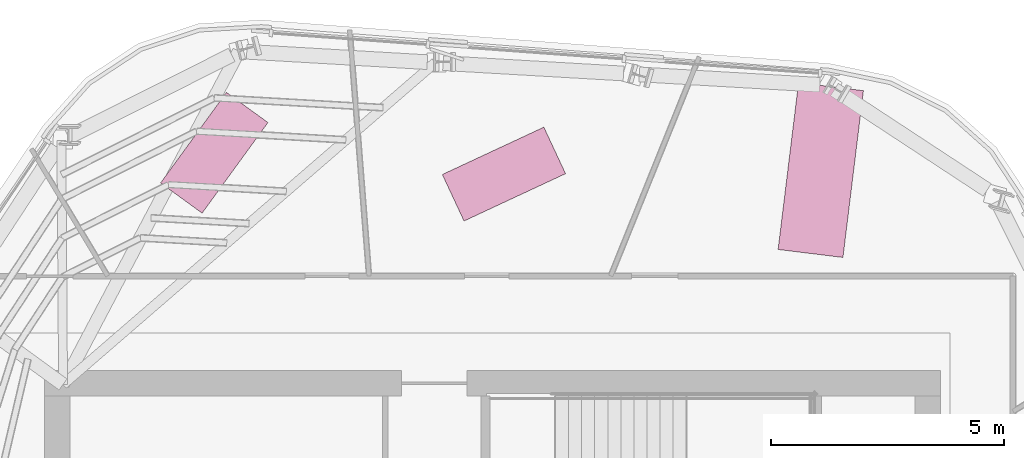
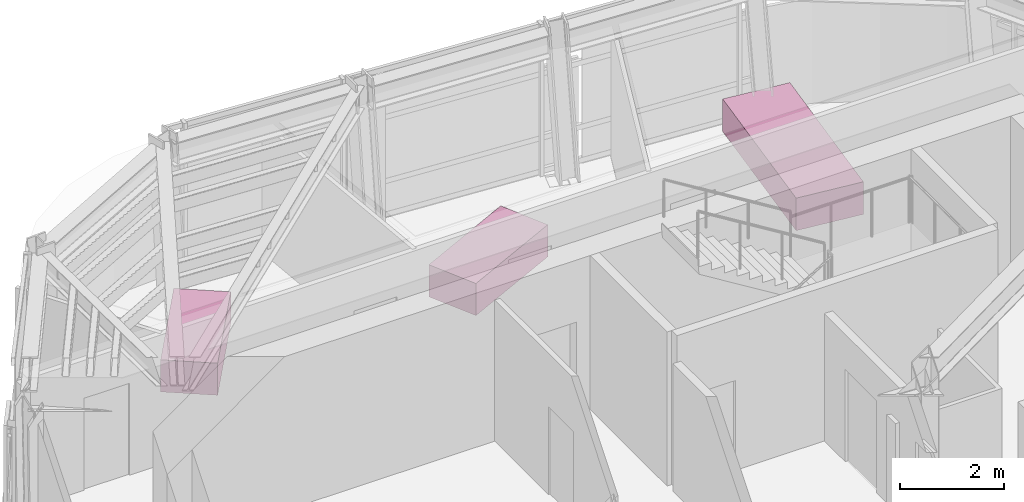
# One storey, part 11 of 11: 3 furniture elements.
"""IFC4 building model written with IfcOpenShell, lengths in metres."""

import ifcopenshell
import ifcopenshell.guid

model = None  # the IFC model being written
_history = None  # IfcOwnerHistory: only IFC2X3 demands one
_inside = {}  # id of a spatial element -> (the spatial element, [elements in it])
_under = {}  # id of a project, library or spatial element -> (it, [spatial elements below it])
_declared = {}  # id of a project -> (the project, [libraries it declares])
_typed = {}  # id of a type object -> (the type object, [elements of that type])
_made_of = {}  # id of a material, layer set ... -> (it, [elements and type objects made of it])


def new_model(schema):
    """Start an empty IFC model of exactly this schema.

    Asked for "IFC4X3", IfcOpenShell would pick the latest addendum, in which some entities
    have other attributes; the version numbers below select the first issue.
    IFC2X3 requires an IfcOwnerHistory on every rooted entity: one is made here for all.
    """
    global model, _history
    if schema == "IFC4X3":
        model = ifcopenshell.file(schema_version=(4, 3, 0, 0))
    else:
        model = ifcopenshell.file(schema=schema)
    _inside.clear()
    _under.clear()
    _declared.clear()
    _typed.clear()
    _made_of.clear()
    _history = None
    if model.schema == "IFC2X3":
        org = make("IfcOrganization", Name="unknown")
        user = make(
            "IfcPersonAndOrganization",
            ThePerson=make("IfcPerson", FamilyName="unknown"),
            TheOrganization=org,
        )
        app = make(
            "IfcApplication",
            ApplicationDeveloper=org,
            Version="unknown",
            ApplicationFullName="unknown",
            ApplicationIdentifier="unknown",
        )
        _history = make(
            "IfcOwnerHistory",
            OwningUser=user,
            OwningApplication=app,
            ChangeAction="ADDED",
            CreationDate=0,
        )
    return model


def make(cls, **values):
    """One entity of the class cls with the attributes given. An attribute that is None is left unset."""
    return model.create_entity(
        cls, **{name: value for name, value in values.items() if value is not None}
    )


def rooted(cls, **values):
    """An entity with a GlobalId (a new one), such as an element, a storey or a relation."""
    return make(cls, GlobalId=ifcopenshell.guid.new(), OwnerHistory=_history, **values)


def si_unit(unit_type, name, prefix=None):
    """IfcSIUnit, for example si_unit("LENGTHUNIT", "METRE", prefix="MILLI")."""
    return make("IfcSIUnit", UnitType=unit_type, Prefix=prefix, Name=name)


def assignment(units):
    """IfcUnitAssignment: the units of a project."""
    return None if units is None else make("IfcUnitAssignment", Units=units)


def point(xyz):
    """IfcCartesianPoint."""
    return None if xyz is None else make("IfcCartesianPoint", Coordinates=xyz)


def direction(xyz):
    """IfcDirection."""
    return None if xyz is None else make("IfcDirection", DirectionRatios=xyz)


def frame(location, z_axis=None, x_axis=None):
    """IfcAxis2Placement3D, a coordinate frame: its origin and axes. An axis left out is left unset."""
    return make(
        "IfcAxis2Placement3D",
        Location=point(location),
        Axis=direction(z_axis),
        RefDirection=direction(x_axis),
    )


def frame_2d(location, x_axis=None):
    """IfcAxis2Placement2D, a coordinate frame in the plane: its origin and x axis."""
    return make(
        "IfcAxis2Placement2D", Location=point(location), RefDirection=direction(x_axis)
    )


def origin():
    """The frame at (0, 0, 0) with its axes left unset."""
    return frame((0.0, 0.0, 0.0))


def origin_2d():
    """The frame at (0, 0) in the plane with its x axis left unset."""
    return frame_2d((0.0, 0.0))


def place(relative_to, where):
    """IfcLocalPlacement: puts the frame where relative to a parent placement (None: the world)."""
    return make(
        "IfcLocalPlacement", PlacementRelTo=relative_to, RelativePlacement=where
    )


def context(
    kind, dimensions, precision=None, world=None, true_north=None, identifier=None
):
    """IfcGeometricRepresentationContext, for example the 3D "Model" context."""
    return make(
        "IfcGeometricRepresentationContext",
        ContextIdentifier=identifier,
        ContextType=kind,
        CoordinateSpaceDimension=dimensions,
        Precision=precision,
        WorldCoordinateSystem=world,
        TrueNorth=true_north,
    )


def subcontext(parent, identifier, kind, view, scale=None):
    """IfcGeometricRepresentationSubContext, for example "Body" below "Model"."""
    return make(
        "IfcGeometricRepresentationSubContext",
        ContextIdentifier=identifier,
        ContextType=kind,
        ParentContext=parent,
        TargetScale=scale,
        TargetView=view,
    )


def project(units=None, contexts=None):
    """IfcProject with its units and contexts."""
    return rooted(
        "IfcProject",
        Name="project",
        RepresentationContexts=contexts,
        UnitsInContext=assignment(units),
    )


def spatial(cls, under=None, at=None, **own):
    """A site, building, storey or space (cls), placed at a placement, below another one or the project."""
    s = rooted(cls, ObjectPlacement=at, **own)
    if under is not None:
        _under.setdefault(under.id(), (under, []))[1].append(s)
    return s


def profile(cls, at=None, kind="AREA", **sizes):
    """A parametric profile (cls). Its sizes go by their IFC names, for example OverallWidth=200.0."""
    return make(cls, ProfileType=kind, Position=at, **sizes)


def rectangle(**sizes):
    """IfcRectangleProfileDef."""
    return profile("IfcRectangleProfileDef", **sizes)


def extrude(swept, where, along, depth):
    """IfcExtrudedAreaSolid: the profile swept, set in the frame where, extruded along a direction by depth."""
    return make(
        "IfcExtrudedAreaSolid",
        SweptArea=swept,
        Position=where,
        ExtrudedDirection=direction(along),
        Depth=depth,
    )


def shape(context_of_items, identifier, shape_type, items):
    """IfcShapeRepresentation: the items that make up one representation, for example the "Body"."""
    return make(
        "IfcShapeRepresentation",
        ContextOfItems=context_of_items,
        RepresentationIdentifier=identifier,
        RepresentationType=shape_type,
        Items=items,
    )


def material(Name=None, Category=None):
    """IfcMaterial."""
    return make("IfcMaterial", Name=Name, Category=Category)


def made_of(thing, what):
    """Note that an element or type object is made of a material, layer set ...; save() writes the relation."""
    if what is not None:
        _made_of.setdefault(what.id(), (what, []))[1].append(thing)
    return thing


def type_object(cls, material=None, **own):
    """A type object (cls), such as IfcWallType, which elements share."""
    return made_of(rooted(cls, **own), material)


def element(
    cls,
    number,
    at=None,
    inside=None,
    cuts=None,
    type_object=None,
    material=None,
    context=None,
    identifier="Body",
    shape_type=None,
    held_by="IfcProductDefinitionShape",
    body=None,
    shapes=None,
    **own,
):
    """One element of the class cls, such as IfcWall. Its Tag is "e" and its number.

    at: its placement. inside: the storey or other place that contains it. cuts: it is an
    opening in that element (IfcRelVoidsElement). A single representation is given by context,
    identifier, shape_type and body (its items); several are given by shapes. held_by: the class
    of the entity that holds the representations. save() writes the other relations.
    """
    e = rooted(cls, Tag="e%d" % number, ObjectPlacement=at, **own)
    if body is not None:
        shapes = [shape(context, identifier, shape_type, body)]
    if shapes is not None:
        e.Representation = make(held_by, Representations=shapes)
    if inside is not None:
        _inside.setdefault(inside.id(), (inside, []))[1].append(e)
    if cuts is not None:
        rooted(
            "IfcRelVoidsElement", RelatingBuildingElement=cuts, RelatedOpeningElement=e
        )
    if type_object is not None:
        _typed.setdefault(type_object.id(), (type_object, []))[1].append(e)
    return made_of(e, material)


def aggregate(whole, parts):
    """IfcRelAggregates: a whole, such as a stair, and the parts it consists of."""
    return rooted("IfcRelAggregates", RelatingObject=whole, RelatedObjects=parts)


def save(model, path):
    """Write the relations noted so far, then the file.

    IfcRelAggregates (storeys below a building ...), IfcRelContainedInSpatialStructure (elements
    in a storey), IfcRelDefinesByType, IfcRelAssociatesMaterial and IfcRelDeclares: one each for
    every whole, place, type object, material and project.
    """
    for whole, parts in _under.values():
        aggregate(whole, parts)
    for where, things in _inside.values():
        rooted(
            "IfcRelContainedInSpatialStructure",
            RelatedElements=things,
            RelatingStructure=where,
        )
    for kind, things in _typed.values():
        rooted("IfcRelDefinesByType", RelatedObjects=things, RelatingType=kind)
    for what, things in _made_of.values():
        rooted("IfcRelAssociatesMaterial", RelatedObjects=things, RelatingMaterial=what)
    for by, libraries in _declared.values():
        rooted("IfcRelDeclares", RelatingContext=by, RelatedDefinitions=libraries)
    model.write(path)


model = new_model("IFC4")

# Units and contexts
model_context = context("Model", 3, precision=1e-05, world=origin(), true_north=direction((0.0, 1.0)))
body_context = subcontext(model_context, "Body", "Model", "MODEL_VIEW")
ifc_project = project(units=[si_unit("LENGTHUNIT", "METRE"), si_unit("AREAUNIT", "SQUARE_METRE"), si_unit("VOLUMEUNIT", "CUBIC_METRE"), si_unit("PLANEANGLEUNIT", "RADIAN"), si_unit("MASSUNIT", "GRAM", prefix="KILO")], contexts=[model_context])

# Site, building, storey
site_placement = place(None, origin())
site = spatial("IfcSite", under=ifc_project, at=site_placement, CompositionType="ELEMENT")
building_placement = place(site_placement, origin())
building = spatial("IfcBuilding", under=site, at=building_placement, Name="Valkerne Bourse Tower", CompositionType="ELEMENT")
storey_placement = place(building_placement, frame((0.0, 0.0, 266.0)))
storey = spatial("IfcBuildingStorey", under=building, at=storey_placement, Name="L67", CompositionType="ELEMENT", Elevation=266.0)

# Furniture
ifc_material = material(Name="Architectural White Oak Timber", Category="wood")
furniture_type_1 = type_object("IfcFurnitureType", Name="FURN-CONF-3600", AssemblyPlace="NOTDEFINED", PredefinedType="TABLE", material=ifc_material)
furniture_placement = place(storey_placement, frame((53.8330078125, 39.992919921875, 0.044921875), z_axis=(0.0, 0.0, 1.0), x_axis=(0.121869343405, 0.992546151641, 0.0)))
element("IfcFurniture", 1, at=furniture_placement, inside=storey, type_object=furniture_type_1, Name="L67 Suite Worktable 06", PredefinedType="TABLE", context=body_context, shape_type="SweptSolid", body=[
    extrude(rectangle(XDim=3.60009765625, YDim=1.39990234375, at=origin_2d()), origin(), (0.0, 0.0, 1.0), 0.760009765625),
])
furniture_type_2 = type_object("IfcFurnitureType", Name="FURN-DESK-2400", AssemblyPlace="NOTDEFINED", PredefinedType="DESK", material=ifc_material)
for number, where, z_axis, x_axis, name in (
    (2, (47.0458984375, 39.906982421875, 0.044921875), (0.0, 0.0, 1.0), (0.906307787037, 0.422618261741, 0.0), "L67 Suite Worktable 04"),
    (3, (40.840087890625, 40.364013671875, 0.044921875), (0.0, 0.0, 1.0), (0.587785252292, 0.809016994375, 0.0), "L67 Suite Worktable 05"),
):
    element("IfcFurniture", number, at=place(storey_placement, frame(where, z_axis=z_axis, x_axis=x_axis)), inside=storey, type_object=furniture_type_2, Name=name, PredefinedType="DESK", context=body_context, shape_type="SweptSolid", body=[
        extrude(rectangle(XDim=2.39990234375, YDim=1.10009765625, at=origin_2d()), origin(), (0.0, 0.0, 1.0), 0.75),
    ])

save(model, "model.ifc")
